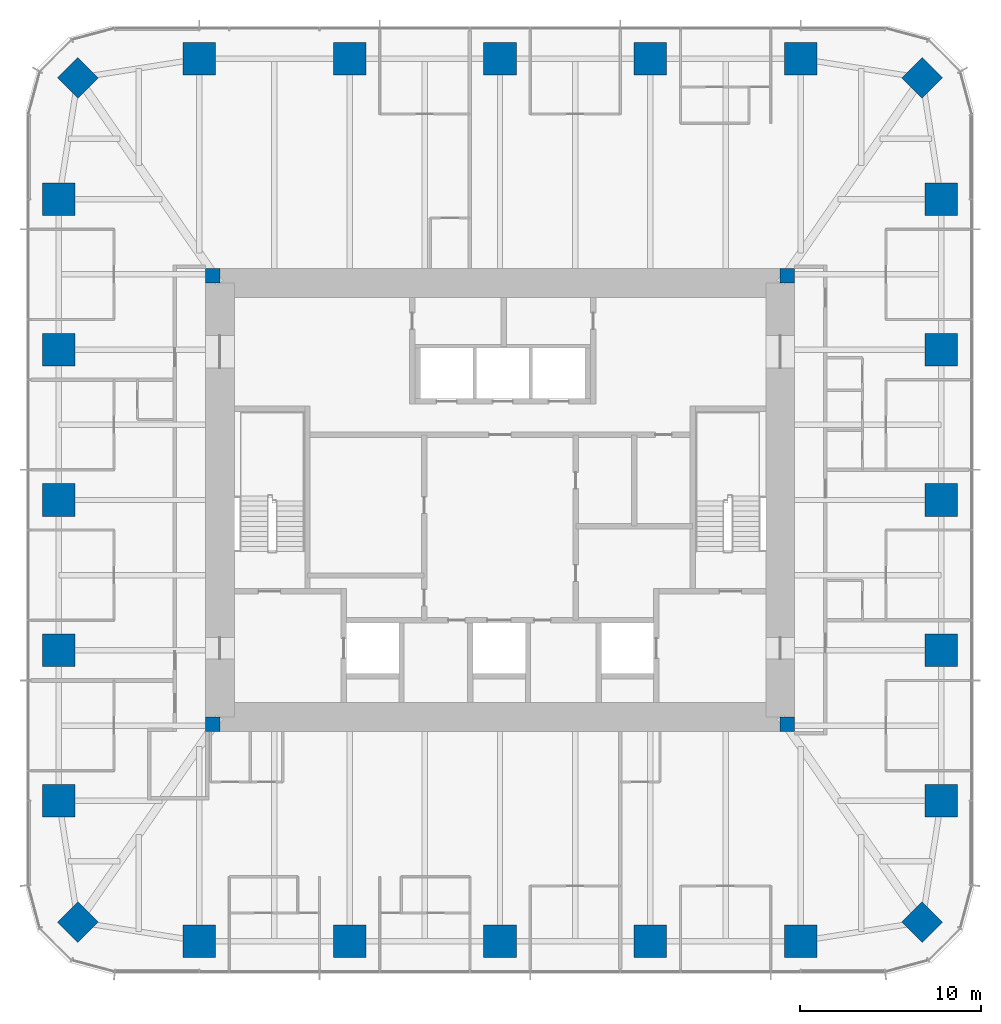
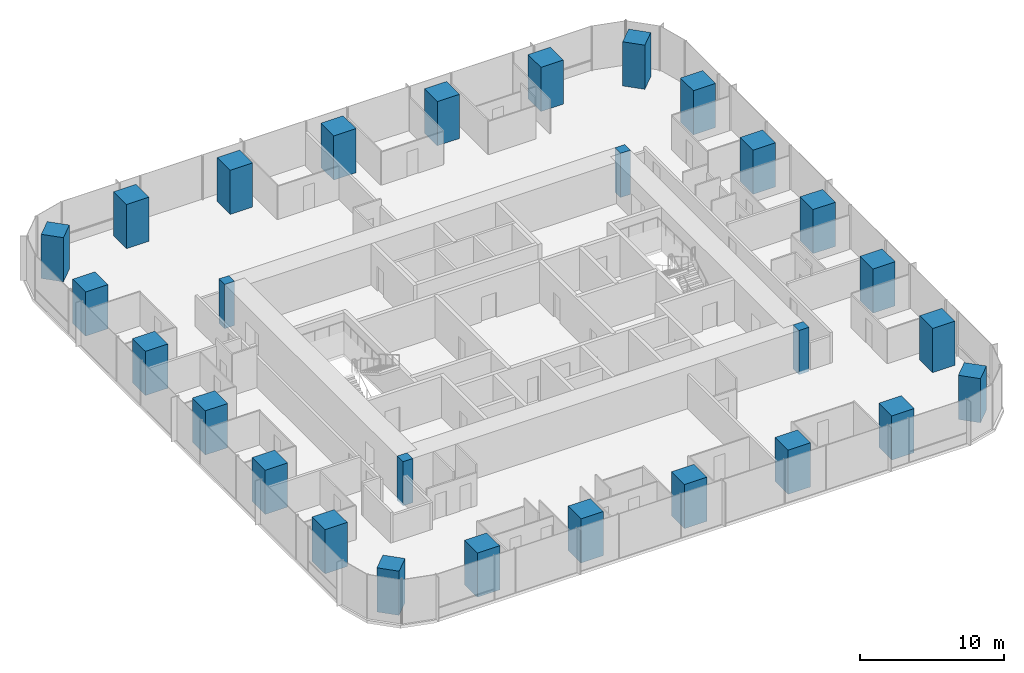
# One storey, part 1 of 12: 28 columns.
"""IFC4 building model written with IfcOpenShell, lengths in metres."""

from ifc_helpers import new_model, si_unit, direction, frame, origin, origin_2d, place, context, subcontext, project, spatial, rectangle, extrude, material, material_profile, profile_set, type_object, element, save


model = new_model("IFC4")

# Units and contexts
model_context = context("Model", 3, precision=1e-05, world=origin(), true_north=direction((0.0, 1.0)))
body_context = subcontext(model_context, "Body", "Model", "MODEL_VIEW")
ifc_project = project(units=[si_unit("LENGTHUNIT", "METRE"), si_unit("AREAUNIT", "SQUARE_METRE"), si_unit("VOLUMEUNIT", "CUBIC_METRE"), si_unit("PLANEANGLEUNIT", "RADIAN"), si_unit("MASSUNIT", "GRAM", prefix="KILO")], contexts=[model_context])

# Site, building, storey
site_placement = place(None, origin())
site = spatial("IfcSite", under=ifc_project, at=site_placement, CompositionType="ELEMENT")
building_placement = place(site_placement, origin())
building = spatial("IfcBuilding", under=site, at=building_placement, Name="Khuree Lantern Residences", CompositionType="ELEMENT")
storey_placement = place(building_placement, frame((0.0, 0.0, 229.5)))
storey = spatial("IfcBuildingStorey", under=building, at=storey_placement, Name="L57", CompositionType="ELEMENT", Elevation=229.5)

# Columns
ifc_material_1 = material(Name="Concrete C70/85", Category="concrete")
ifc_material_profile_1 = material_profile(ifc_material_1, rectangle(XDim=1.60009765625, YDim=1.60009765625, at=origin_2d()), Name="RC 1600X1600")
ifc_profile_set_1 = profile_set([ifc_material_profile_1], Name="Concrete C70/85")
column_type_1 = type_object("IfcColumnType", Name="CC1600A PERIMETER CORNER COLUMN RC 1600X1600", PredefinedType="COLUMN", material=ifc_profile_set_1)
for number, where, z_axis, x_axis, name in (
    (1, (23.345703125, 23.345703125, 0.0), (0.0, 0.0, 1.0), (0.707106781187, -0.707106781187, 0.0), "Perimeter column NE"),
    (2, (23.345703125, -23.345703125, 0.0), (0.0, 0.0, 1.0), (0.707106781187, 0.707106781187, 0.0), "Perimeter column SE"),
    (3, (-23.345703125, -23.345703125, 0.0), (0.0, 0.0, 1.0), (0.707106781187, -0.707106781187, 0.0), "Perimeter column SW"),
    (4, (-23.345703125, 23.345703125, 0.0), (0.0, 0.0, 1.0), (0.707106781187, 0.707106781187, 0.0), "Perimeter column NW"),
):
    element("IfcColumn", number, at=place(storey_placement, frame(where, z_axis=z_axis, x_axis=x_axis)), inside=storey, type_object=column_type_1, Name=name, PredefinedType="COLUMN", context=body_context, shape_type="SweptSolid", body=[
        extrude(rectangle(XDim=1.60009765625, YDim=1.60009765625, at=origin_2d()), origin(), (0.0, 0.0, 1.0), 3.75),
    ])
ifc_material_2 = material(Name="Concrete C50/60", Category="concrete")
ifc_material_profile_2 = material_profile(ifc_material_2, rectangle(XDim=0.800048828125, YDim=0.800048828125, at=origin_2d()), Name="RC 800X800")
ifc_profile_set_2 = profile_set([ifc_material_profile_2], Name="Concrete C50/60")
column_type_2 = type_object("IfcColumnType", Name="CP800-C50 CORE CORNER PIER C50 RC 800X800", PredefinedType="COLUMN", material=ifc_profile_set_2)
for number, where, z_axis, x_axis, name in (
    (5, (15.89990234375, 12.39990234375, -0.25), (0.0, 0.0, 1.0), (1.0, 0.0, 0.0), "Core corner pier NE"),
    (6, (-15.89990234375, 12.39990234375, -0.25), (0.0, 0.0, 1.0), (1.0, 0.0, 0.0), "Core corner pier NW"),
    (7, (-15.89990234375, -12.39990234375, -0.25), (0.0, 0.0, 1.0), (1.0, 0.0, 0.0), "Core corner pier SW"),
    (8, (15.89990234375, -12.39990234375, -0.25), (0.0, 0.0, 1.0), (1.0, 0.0, 0.0), "Core corner pier SE"),
):
    element("IfcColumn", number, at=place(storey_placement, frame(where, z_axis=z_axis, x_axis=x_axis)), inside=storey, type_object=column_type_2, Name=name, PredefinedType="COLUMN", context=body_context, shape_type="SweptSolid", body=[
        extrude(rectangle(XDim=0.800048828125, YDim=0.800048828125, at=origin_2d()), origin(), (0.0, 0.0, 1.0), 3.75),
    ])
ifc_material_profile_3 = material_profile(ifc_material_1, rectangle(XDim=1.800048828125, YDim=1.800048828125, at=origin_2d()), Name="RC 1800X1800")
ifc_profile_set_3 = profile_set([ifc_material_profile_3], Name="Concrete C70/85")
column_type_3 = type_object("IfcColumnType", Name="PC4 PERIMETER COLUMN RC 1800X1800", PredefinedType="COLUMN", material=ifc_profile_set_3)
for number, where, z_axis, x_axis, name in (
    (9, (-16.639892578125, 24.39990234375, 0.0), (0.0, 0.0, 1.0), (1.0, 0.0, 0.0), "Perimeter column N1"),
    (10, (-8.320068359375, 24.39990234375, 0.0), (0.0, 0.0, 1.0), (1.0, 0.0, 0.0), "Perimeter column N2"),
    (11, (0.0, 24.39990234375, 0.0), (0.0, 0.0, 1.0), (1.0, 0.0, 0.0), "Perimeter column N3"),
    (12, (8.320068359375, 24.39990234375, 0.0), (0.0, 0.0, 1.0), (1.0, 0.0, 0.0), "Perimeter column N4"),
    (13, (16.639892578125, 24.39990234375, 0.0), (0.0, 0.0, 1.0), (1.0, 0.0, 0.0), "Perimeter column N5"),
    (14, (24.39990234375, 16.639892578125, 0.0), (0.0, 0.0, 1.0), (0.0, 1.0, 0.0), "Perimeter column E1"),
    (15, (24.39990234375, 8.320068359375, 0.0), (0.0, 0.0, 1.0), (0.0, 1.0, 0.0), "Perimeter column E2"),
    (16, (24.39990234375, 0.0, 0.0), (0.0, 0.0, 1.0), (0.0, 1.0, 0.0), "Perimeter column E3"),
    (17, (24.39990234375, -8.320068359375, 0.0), (0.0, 0.0, 1.0), (0.0, 1.0, 0.0), "Perimeter column E4"),
    (18, (24.39990234375, -16.639892578125, 0.0), (0.0, 0.0, 1.0), (0.0, 1.0, 0.0), "Perimeter column E5"),
    (19, (16.639892578125, -24.39990234375, 0.0), (0.0, 0.0, 1.0), (1.0, 0.0, 0.0), "Perimeter column S1"),
    (20, (8.320068359375, -24.39990234375, 0.0), (0.0, 0.0, 1.0), (1.0, 0.0, 0.0), "Perimeter column S2"),
    (21, (0.0, -24.39990234375, 0.0), (0.0, 0.0, 1.0), (1.0, 0.0, 0.0), "Perimeter column S3"),
    (22, (-8.320068359375, -24.39990234375, 0.0), (0.0, 0.0, 1.0), (1.0, 0.0, 0.0), "Perimeter column S4"),
    (23, (-16.639892578125, -24.39990234375, 0.0), (0.0, 0.0, 1.0), (1.0, 0.0, 0.0), "Perimeter column S5"),
    (24, (-24.39990234375, -16.639892578125, 0.0), (0.0, 0.0, 1.0), (0.0, 1.0, 0.0), "Perimeter column W1"),
    (25, (-24.39990234375, -8.320068359375, 0.0), (0.0, 0.0, 1.0), (0.0, 1.0, 0.0), "Perimeter column W2"),
    (26, (-24.39990234375, 0.0, 0.0), (0.0, 0.0, 1.0), (0.0, 1.0, 0.0), "Perimeter column W3"),
    (27, (-24.39990234375, 8.320068359375, 0.0), (0.0, 0.0, 1.0), (0.0, 1.0, 0.0), "Perimeter column W4"),
    (28, (-24.39990234375, 16.639892578125, 0.0), (0.0, 0.0, 1.0), (0.0, 1.0, 0.0), "Perimeter column W5"),
):
    element("IfcColumn", number, at=place(storey_placement, frame(where, z_axis=z_axis, x_axis=x_axis)), inside=storey, type_object=column_type_3, Name=name, PredefinedType="COLUMN", context=body_context, shape_type="SweptSolid", body=[
        extrude(rectangle(XDim=1.800048828125, YDim=1.800048828125, at=origin_2d()), origin(), (0.0, 0.0, 1.0), 3.75),
    ])

save(model, "model.ifc")
